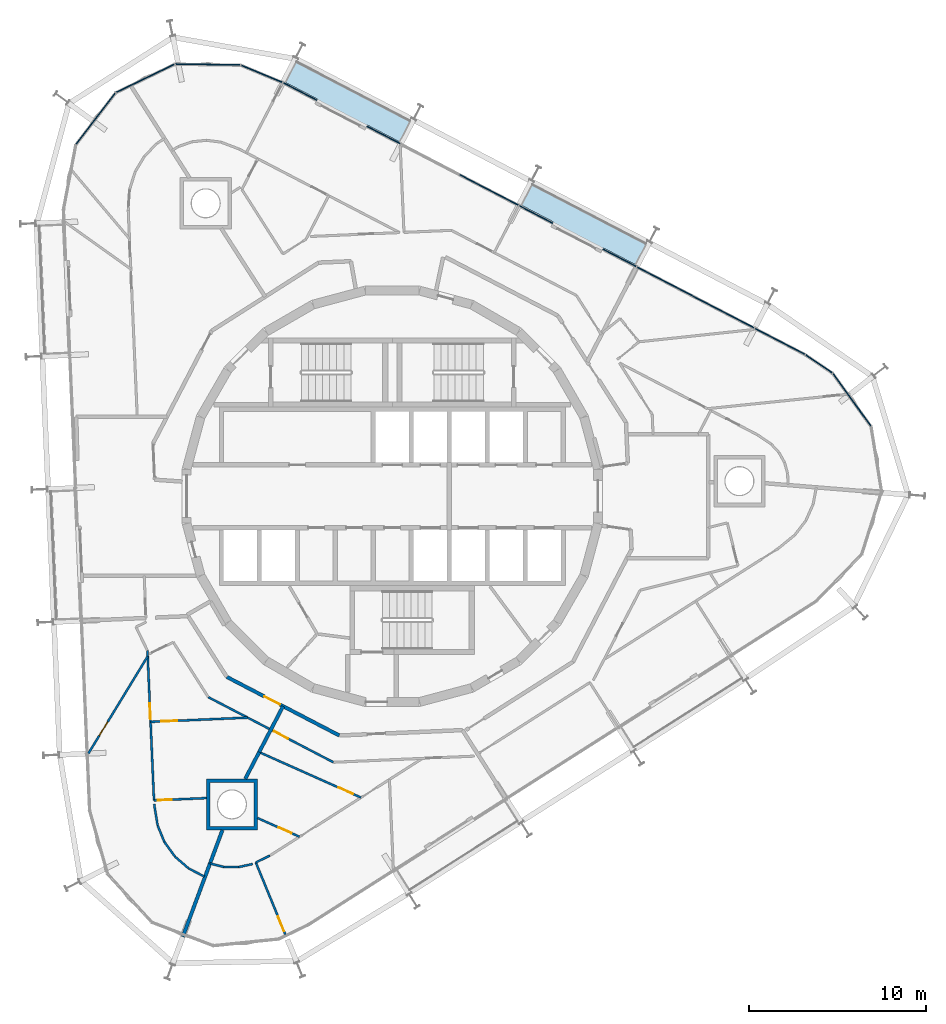
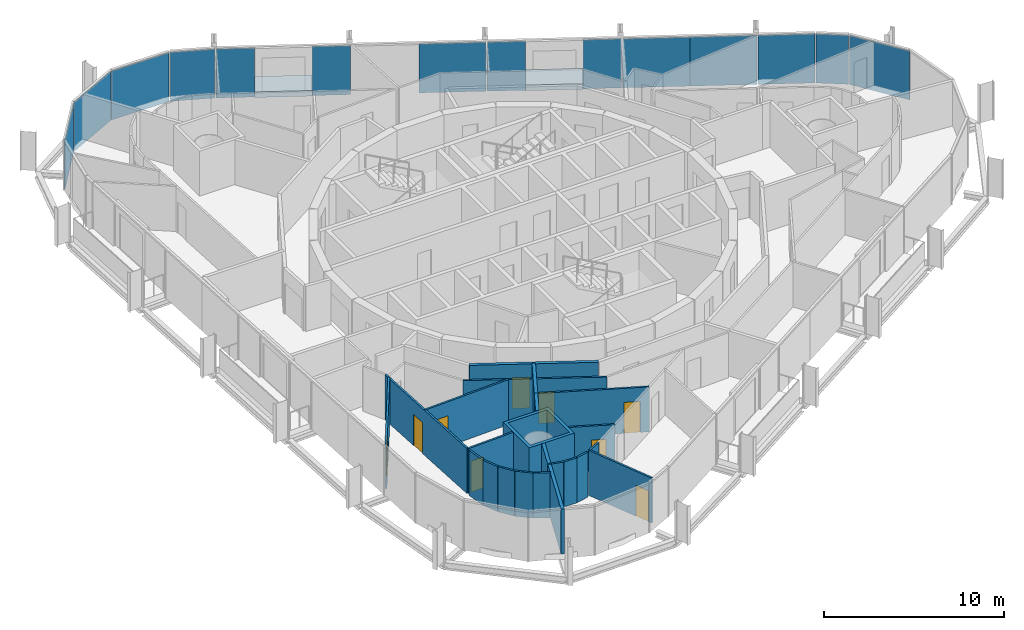
# One storey, part 11 of 18: 23 walls, 14 plates, 9 doors, 2 slabs, 9 openings, 3 elements without a shape of their own.
"""IFC4 building model written with IfcOpenShell, lengths in metres."""

from ifc_helpers import new_model, si_unit, direction, frame, frame_2d, origin, origin_2d, place, context, subcontext, project, spatial, polyline, rectangle, outline, extrude, material, layer, layer_set, type_object, element, fill, aggregate, save


model = new_model("IFC4")

# Units and contexts
model_context = context("Model", 3, precision=1e-05, world=origin(), true_north=direction((0.0, 1.0)))
body_context = subcontext(model_context, "Body", "Model", "MODEL_VIEW")
ifc_project = project(units=[si_unit("LENGTHUNIT", "METRE"), si_unit("AREAUNIT", "SQUARE_METRE"), si_unit("VOLUMEUNIT", "CUBIC_METRE"), si_unit("PLANEANGLEUNIT", "RADIAN"), si_unit("MASSUNIT", "GRAM", prefix="KILO")], contexts=[model_context])

# Site, building, storey
site_placement = place(None, origin())
site = spatial("IfcSite", under=ifc_project, at=site_placement, CompositionType="ELEMENT")
building_placement = place(site_placement, origin())
building = spatial("IfcBuilding", under=site, at=building_placement, Name="Spindle Arch Residences", CompositionType="ELEMENT")
storey_placement = place(building_placement, frame((0.0, 0.0, 254.699951171875)))
storey = spatial("IfcBuildingStorey", under=building, at=storey_placement, Name="L65", CompositionType="ELEMENT", Elevation=254.699951171875)

# Slabs
ifc_material_1 = material(Name="Concrete C40/50", Category="concrete")
ifc_layer_1 = layer(ifc_material_1, 0.3798828125)
ifc_layer_set_1 = layer_set([ifc_layer_1], Name="Balcony slab 380")
slab_type = type_object("IfcSlabType", Name="Balcony slab 380", PredefinedType="FLOOR", material=ifc_layer_set_1)
slab_1_placement = place(storey_placement, frame((0.0, 0.0, -0.3798828125)))
element("IfcSlab", 1, at=slab_1_placement, inside=storey, type_object=slab_type, Name="Balcony L65 bay 7", PredefinedType="FLOOR", context=body_context, shape_type="SweptSolid", body=[
    extrude(outline(polyline([(14.496337890625, 14.419921875), (14.429931640625, 14.45458984375), (14.360595703125, 14.321533203125), (7.947509765625, 17.659912109375), (8.0166015625, 17.79296875), (7.9501953125, 17.82763671875), (7.26220703125, 16.506103515625), (9.115966796875, 15.541015625), (9.042236328125, 15.399169921875), (11.880615234375, 13.92138671875), (11.95458984375, 14.0634765625), (13.808349609375, 13.098388671875), (14.496337890625, 14.419921875)])), origin(), (0.0, 0.0, 1.0), 0.3798828125),
])
slab_2_placement = place(storey_placement, frame((0.0, 0.0, -0.3798828125)))
element("IfcSlab", 2, at=slab_2_placement, inside=storey, type_object=slab_type, Name="Balcony L65 bay 9", PredefinedType="FLOOR", context=body_context, shape_type="SweptSolid", body=[
    extrude(outline(polyline([(1.137939453125, 21.3740234375), (1.0712890625, 21.40869140625), (1.002197265625, 21.275634765625), (-5.4111328125, 24.614013671875), (-5.341796875, 24.7470703125), (-5.408447265625, 24.78173828125), (-6.096435546875, 23.4599609375), (-4.242431640625, 22.494873046875), (-4.31640625, 22.35302734375), (-1.477783203125, 20.87548828125), (-1.404052734375, 21.017333984375), (0.449951171875, 20.05224609375), (1.137939453125, 21.3740234375)])), origin(), (0.0, 0.0, 1.0), 0.3798828125),
])

# Curtain wall, plates
ifc_material_2 = material(Name="Aluminium bronze unitised frame with tinted glass", Category="aluminium")
ifc_layer_2 = layer(ifc_material_2, 0.159912109375)
ifc_layer_set_2 = layer_set([ifc_layer_2], Name="CW-D corner wall on the fillet arcs")
curtain_wall_type_1 = type_object("IfcCurtainWallType", Name="CW-D corner wall on the fillet arcs", PredefinedType="NOTDEFINED", material=ifc_layer_set_2)
curtain_wall_1_placement = place(storey_placement, origin())
curtain_wall_1 = element("IfcCurtainWall", 3, at=curtain_wall_1_placement, inside=storey, type_object=curtain_wall_type_1, Name="CW-D L65 run 1", PredefinedType="NOTDEFINED")
ifc_material_3 = material(Name="Tinted double glazing over aluminium faced non-combustible spandrel zone (K0)", Category="aluminium")
ifc_layer_3 = layer(ifc_material_3, 0.06005859375)
ifc_layer_set_3 = layer_set([ifc_layer_3], Name="Unitised glass panel with E 60 spandrel zone")
plate_type = type_object("IfcPlateType", Name="Unitised glass panel with E 60 spandrel zone", PredefinedType="CURTAIN_PANEL", material=ifc_layer_set_3)
plate_1_placement = place(storey_placement, frame((26.024169921875, 5.460693359375, -0.3798828125), z_axis=(0.0, 0.0, 1.0), x_axis=(-0.585429431289, 0.810723368962, 0.0)))
plate_1 = element("IfcPlate", 4, at=plate_1_placement, type_object=plate_type, Name="CW-D unit 04", PredefinedType="CURTAIN_PANEL", context=body_context, shape_type="SweptSolid", body=[
    extrude(rectangle(XDim=3.666748046875, YDim=0.06005859375, at=origin_2d()), origin(), (0.0, 0.0, 1.0), 3.31005859375),
])
plate_2_placement = place(storey_placement, frame((24.156982421875, 7.498291015625, -0.3798828125), z_axis=(0.0, 0.0, 1.0), x_axis=(-0.827407441981, 0.561602105546, 0.0)))
plate_2 = element("IfcPlate", 5, at=plate_2_placement, type_object=plate_type, Name="CW-D unit 05", PredefinedType="CURTAIN_PANEL", context=body_context, shape_type="SweptSolid", body=[
    extrude(rectangle(XDim=1.816162109375, YDim=0.06005859375, at=origin_2d()), origin(), (0.0, 0.0, 1.0), 3.31005859375),
])
plate_3_placement = place(storey_placement, frame((21.948974609375, 8.770263671875, -0.3798828125), z_axis=(0.0, 0.0, 1.0), x_axis=(-0.887010833178, 0.461748613235, 0.0)))
plate_3 = element("IfcPlate", 6, at=plate_3_placement, type_object=plate_type, Name="CW-D unit 06", PredefinedType="CURTAIN_PANEL", context=body_context, shape_type="SweptSolid", body=[
    extrude(rectangle(XDim=3.16845703125, YDim=0.06005859375, at=origin_2d()), origin(), (0.0, 0.0, 1.0), 3.31005859375),
])
aggregate(curtain_wall_1, [plate_1, plate_2, plate_3])

ifc_material_4 = material(Name="Aluminium bronze unitised frame with tinted glass", Category="aluminium")
ifc_layer_4 = layer(ifc_material_4, 0.159912109375)
ifc_layer_set_4 = layer_set([ifc_layer_4], Name="CW-C typical residential unitised wall")
curtain_wall_type_2 = type_object("IfcCurtainWallType", Name="CW-C typical residential unitised wall", PredefinedType="NOTDEFINED", material=ifc_layer_set_4)
curtain_wall_2_placement = place(storey_placement, origin())
curtain_wall_2 = element("IfcCurtainWall", 7, at=curtain_wall_2_placement, inside=storey, type_object=curtain_wall_type_2, Name="CW-C L65 run 2", PredefinedType="NOTDEFINED")
plate_4_placement = place(storey_placement, frame((18.834228515625, 10.391845703125, -0.3798828125), z_axis=(0.0, 0.0, 1.0), x_axis=(-0.887010833178, 0.461748613235, 0.0)))
plate_4 = element("IfcPlate", 8, at=plate_4_placement, type_object=plate_type, Name="CW-C unit 05A", PredefinedType="CURTAIN_PANEL", context=body_context, shape_type="SweptSolid", body=[
    extrude(rectangle(XDim=3.735107421875, YDim=0.06005859375, at=origin_2d()), origin(), (0.0, 0.0, 1.0), 3.31005859375),
])
plate_5_placement = place(storey_placement, frame((15.52099609375, 12.116455078125, -0.3798828125), z_axis=(0.0, 0.0, 1.0), x_axis=(-0.887010833178, 0.461748613235, 0.0)))
plate_5 = element("IfcPlate", 9, at=plate_5_placement, type_object=plate_type, Name="CW-C unit 05B", PredefinedType="CURTAIN_PANEL", context=body_context, shape_type="SweptSolid", body=[
    extrude(rectangle(XDim=3.735107421875, YDim=0.06005859375, at=origin_2d()), origin(), (0.0, 0.0, 1.0), 3.31005859375),
])
plate_6_placement = place(storey_placement, frame((12.864501953125, 13.49951171875, -0.3798828125), z_axis=(0.0, 0.0, 1.0), x_axis=(-0.887010833178, 0.461748613235, 0.0)))
plate_6 = element("IfcPlate", 10, at=plate_6_placement, type_object=plate_type, Name="CW-C unit 06L", PredefinedType="CURTAIN_PANEL", context=body_context, shape_type="SweptSolid", body=[
    extrude(rectangle(XDim=2.135009765625, YDim=0.06005859375, at=origin_2d()), origin(), (0.0, 0.0, 1.0), 3.31005859375),
])
plate_7_placement = place(storey_placement, frame((8.13232421875, 15.962890625, -0.3798828125), z_axis=(0.0, 0.0, 1.0), x_axis=(-0.887010833178, 0.461748613235, 0.0)))
plate_7 = element("IfcPlate", 11, at=plate_7_placement, type_object=plate_type, Name="CW-C unit 06R", PredefinedType="CURTAIN_PANEL", context=body_context, shape_type="SweptSolid", body=[
    extrude(rectangle(XDim=2.135009765625, YDim=0.06005859375, at=origin_2d()), origin(), (0.0, 0.0, 1.0), 3.31005859375),
])
plate_8_placement = place(storey_placement, frame((5.4755859375, 17.345947265625, -0.3798828125), z_axis=(0.0, 0.0, 1.0), x_axis=(-0.887010833178, 0.461748613235, 0.0)))
plate_8 = element("IfcPlate", 12, at=plate_8_placement, type_object=plate_type, Name="CW-C unit 07A", PredefinedType="CURTAIN_PANEL", context=body_context, shape_type="SweptSolid", body=[
    extrude(rectangle(XDim=3.735107421875, YDim=0.06005859375, at=origin_2d()), origin(), (0.0, 0.0, 1.0), 3.31005859375),
])
plate_9_placement = place(storey_placement, frame((-0.494140625, 20.45361328125, -0.3798828125), z_axis=(0.0, 0.0, 1.0), x_axis=(-0.887010833178, 0.461748613235, 0.0)))
plate_9 = element("IfcPlate", 13, at=plate_9_placement, type_object=plate_type, Name="CW-C unit 08L", PredefinedType="CURTAIN_PANEL", context=body_context, shape_type="SweptSolid", body=[
    extrude(rectangle(XDim=2.135009765625, YDim=0.06005859375, at=origin_2d()), origin(), (0.0, 0.0, 1.0), 3.31005859375),
])
plate_10_placement = place(storey_placement, frame((-5.226318359375, 22.9169921875, -0.3798828125), z_axis=(0.0, 0.0, 1.0), x_axis=(-0.887010833178, 0.461748613235, 0.0)))
plate_10 = element("IfcPlate", 14, at=plate_10_placement, type_object=plate_type, Name="CW-C unit 08R", PredefinedType="CURTAIN_PANEL", context=body_context, shape_type="SweptSolid", body=[
    extrude(rectangle(XDim=2.135009765625, YDim=0.06005859375, at=origin_2d()), origin(), (0.0, 0.0, 1.0), 3.31005859375),
])
aggregate(curtain_wall_2, [plate_4, plate_5, plate_6, plate_7, plate_8, plate_9, plate_10])

curtain_wall_3_placement = place(storey_placement, origin())
curtain_wall_3 = element("IfcCurtainWall", 15, at=curtain_wall_3_placement, inside=storey, type_object=curtain_wall_type_1, Name="CW-D L65 run 3", PredefinedType="NOTDEFINED")
plate_11_placement = place(storey_placement, frame((-7.39501953125, 23.923095703125, -0.3798828125), z_axis=(0.0, 0.0, 1.0), x_axis=(-0.92268610302, 0.385552013734, 0.0)))
plate_11 = element("IfcPlate", 16, at=plate_11_placement, type_object=plate_type, Name="CW-D unit 00", PredefinedType="CURTAIN_PANEL", context=body_context, shape_type="SweptSolid", body=[
    extrude(rectangle(XDim=2.531005859375, YDim=0.06005859375, at=origin_2d()), origin(), (0.0, 0.0, 1.0), 3.31005859375),
])
plate_12_placement = place(storey_placement, frame((-10.45361328125, 24.44970703125, -0.3798828125), z_axis=(0.0, 0.0, 1.0), x_axis=(-0.999894231949, 0.014543896145, 0.0)))
plate_12 = element("IfcPlate", 17, at=plate_12_placement, type_object=plate_type, Name="CW-D unit 01", PredefinedType="CURTAIN_PANEL", context=body_context, shape_type="SweptSolid", body=[
    extrude(rectangle(XDim=3.666748046875, YDim=0.06005859375, at=origin_2d()), origin(), (0.0, 0.0, 1.0), 3.31005859375),
])
plate_13_placement = place(storey_placement, frame((-13.993896484375, 23.664794921875, -0.3798828125), z_axis=(0.0, 0.0, 1.0), x_axis=(-0.900065409075, -0.435754815677, 0.0)))
plate_13 = element("IfcPlate", 18, at=plate_13_placement, type_object=plate_type, Name="CW-D unit 02", PredefinedType="CURTAIN_PANEL", context=body_context, shape_type="SweptSolid", body=[
    extrude(rectangle(XDim=3.666748046875, YDim=0.06005859375, at=origin_2d()), origin(), (0.0, 0.0, 1.0), 3.31005859375),
])
plate_14_placement = place(storey_placement, frame((-16.805419921875, 21.37451171875, -0.3798828125), z_axis=(0.0, 0.0, 1.0), x_axis=(-0.60876142329, -0.793353344679, 0.0)))
plate_14 = element("IfcPlate", 19, at=plate_14_placement, type_object=plate_type, Name="CW-D unit 03", PredefinedType="CURTAIN_PANEL", context=body_context, shape_type="SweptSolid", body=[
    extrude(rectangle(XDim=3.666748046875, YDim=0.06005859375, at=origin_2d()), origin(), (0.0, 0.0, 1.0), 3.31005859375),
])
aggregate(curtain_wall_3, [plate_11, plate_12, plate_13, plate_14])

# Wall, opening, door
ifc_material_5 = material(Name="Calcium silicate block, plastered")
ifc_layer_5 = layer(ifc_material_5, 0.199951171875)
ifc_layer_set_5 = layer_set([ifc_layer_5], Name="Corridor wall 200")
wall_type_1 = type_object("IfcWallType", Name="Corridor wall 200", PredefinedType="STANDARD", material=ifc_layer_set_5)
wall_1_placement = place(storey_placement, frame((-9.372314453125, -10.22802734375, 0.0), z_axis=(0.0, 0.0, 1.0), x_axis=(0.887005184532, -0.461759464021, 0.0)))
wall_1 = element("IfcWall", 20, at=wall_1_placement, inside=storey, type_object=wall_type_1, Name="Corridor wall R6C0-W019", PredefinedType="STANDARD", context=body_context, shape_type="SweptSolid", body=[
    extrude(rectangle(XDim=7.18115234375, YDim=0.199951171875, at=frame_2d((3.590576171875, 0.0))), origin(), (0.0, 0.0, 1.0), 3.050048828125),
])
opening_1_placement = place(wall_1_placement, frame((2.390625, 0.0, 0.0)))
opening_1 = element("IfcOpeningElement", 21, at=opening_1_placement, cuts=wall_1, Name="Opening R6C0-FD04", PredefinedType="OPENING", context=body_context, shape_type="SweptSolid", body=[
    extrude(rectangle(XDim=1.0, YDim=2.10009765625, at=frame_2d((0.5, 1.050048828125))), frame((0.0, 0.10986328125, 0.0), z_axis=(0.0, -1.0, 0.0), x_axis=(1.0, 0.0, 0.0)), (0.0, 0.0, 1.0), 0.219970703125),
])
ifc_material_6 = material(Name="Timber, fire-resisting door set", Category="wood")
door_type_1 = type_object("IfcDoorType", Name="Flat entrance door 1000x2100", OperationType="NOTDEFINED", PredefinedType="DOOR", material=ifc_material_6)
door_1_placement = place(opening_1_placement, origin())
door_1 = element("IfcDoor", 22, at=door_1_placement, inside=storey, type_object=door_type_1, Name="Flat entrance door R6C0-FD04", OperationType="SINGLE_SWING_RIGHT", OverallHeight=2.10009765625, OverallWidth=1.0, PredefinedType="DOOR", context=body_context, shape_type="SweptSolid", body=[
    extrude(rectangle(XDim=1.0, YDim=2.10009765625, at=frame_2d((0.5, 1.050048828125))), frame((0.0, 0.02490234375, 0.0), z_axis=(0.0, -1.0, 0.0), x_axis=(1.0, 0.0, 0.0)), (0.0, 0.0, 1.0), 0.050048828125),
])
fill(opening_1, door_1)

ifc_material_7 = material(Name="Plasterboard on steel studs", Category="steel")
ifc_layer_6 = layer(ifc_material_7, 0.1201171875)
ifc_layer_set_6 = layer_set([ifc_layer_6], Name="Flat partition 120")
wall_type_2 = type_object("IfcWallType", Name="Flat partition 120", PredefinedType="PARTITIONING", material=ifc_layer_set_6)
wall_2_placement = place(storey_placement, frame((-10.42138671875, -11.373046875, 0.0), z_axis=(0.0, 0.0, 1.0), x_axis=(0.887012970857, -0.461744506769, 0.0)))
wall_2 = element("IfcWall", 23, at=wall_2_placement, inside=storey, type_object=wall_type_2, Name="Flat partition R6C0-W088", PredefinedType="PARTITIONING", context=body_context, shape_type="SweptSolid", body=[
    extrude(rectangle(XDim=7.98486328125, YDim=0.1201171875, at=frame_2d((3.992431640625, 0.0))), origin(), (0.0, 0.0, 1.0), 3.050048828125),
])
opening_2_placement = place(wall_2_placement, frame((4.1923828125, 0.0, 0.0)))
opening_2 = element("IfcOpeningElement", 24, at=opening_2_placement, cuts=wall_2, Name="Opening R6C0-ID19", PredefinedType="OPENING", context=body_context, shape_type="SweptSolid", body=[
    extrude(rectangle(XDim=0.89990234375, YDim=2.10009765625, at=frame_2d((0.449951171875, 1.050048828125))), frame((0.0, 0.070068359375, 0.0), z_axis=(0.0, -1.0, 0.0), x_axis=(1.0, 0.0, 0.0)), (0.0, 0.0, 1.0), 0.14013671875),
])
ifc_material_8 = material(Name="Timber door set", Category="wood")
door_type_2 = type_object("IfcDoorType", Name="Room door 900x2100", OperationType="NOTDEFINED", PredefinedType="DOOR", material=ifc_material_8)
door_2_placement = place(opening_2_placement, origin())
door_2 = element("IfcDoor", 25, at=door_2_placement, inside=storey, type_object=door_type_2, Name="Room door R6C0-ID19", OperationType="SINGLE_SWING_LEFT", OverallHeight=2.10009765625, OverallWidth=0.89990234375, PredefinedType="DOOR", context=body_context, shape_type="SweptSolid", body=[
    extrude(rectangle(XDim=0.89990234375, YDim=2.10009765625, at=frame_2d((0.449951171875, 1.050048828125))), frame((0.0, 0.02490234375, 0.0), z_axis=(0.0, -1.0, 0.0), x_axis=(1.0, 0.0, 0.0)), (0.0, 0.0, 1.0), 0.050048828125),
])
fill(opening_2, door_2)

wall_3_placement = place(storey_placement, frame((-13.49609375, -17.218017578125, 0.0), z_axis=(0.0, 0.0, 1.0), x_axis=(-0.043640714674, 0.999047290183, 0.0)))
wall_3 = element("IfcWall", 26, at=wall_3_placement, inside=storey, type_object=wall_type_2, Name="Flat partition R6C0-W089", PredefinedType="PARTITIONING", context=body_context, shape_type="SweptSolid", body=[
    extrude(rectangle(XDim=8.486572265625, YDim=0.1201171875, at=frame_2d((4.2431640625, 0.0))), origin(), (0.0, 0.0, 1.0), 3.050048828125),
])
opening_3_placement = place(wall_3_placement, frame((4.6083984375, 0.0, 0.0)))
opening_3 = element("IfcOpeningElement", 27, at=opening_3_placement, cuts=wall_3, Name="Opening R6C0-ID16", PredefinedType="OPENING", context=body_context, shape_type="SweptSolid", body=[
    extrude(rectangle(XDim=0.89990234375, YDim=2.10009765625, at=frame_2d((0.449951171875, 1.050048828125))), frame((0.0, 0.070068359375, 0.0), z_axis=(0.0, -1.0, 0.0), x_axis=(1.0, 0.0, 0.0)), (0.0, 0.0, 1.0), 0.14013671875),
])
door_3_placement = place(opening_3_placement, origin())
door_3 = element("IfcDoor", 28, at=door_3_placement, inside=storey, type_object=door_type_2, Name="Room door R6C0-ID16", OperationType="SINGLE_SWING_RIGHT", OverallHeight=2.10009765625, OverallWidth=0.89990234375, PredefinedType="DOOR", context=body_context, shape_type="SweptSolid", body=[
    extrude(rectangle(XDim=0.89990234375, YDim=2.10009765625, at=frame_2d((0.449951171875, 1.050048828125))), frame((0.0, 0.02490234375, 0.0), z_axis=(0.0, -1.0, 0.0), x_axis=(1.0, 0.0, 0.0)), (0.0, 0.0, 1.0), 0.050048828125),
])
fill(opening_3, door_3)

wall_4_placement = place(storey_placement, frame((-17.215087890625, -14.570068359375, 0.0), z_axis=(0.0, 0.0, 1.0), x_axis=(0.520949659667, 0.853587401555, 0.0)))
wall_4 = element("IfcWall", 29, at=wall_4_placement, inside=storey, type_object=wall_type_2, Name="Flat partition R6C0-W090", PredefinedType="PARTITIONING", context=body_context, shape_type="SweptSolid", body=[
    extrude(rectangle(XDim=6.455078125, YDim=0.1201171875, at=frame_2d((3.2275390625, 0.0))), origin(), (0.0, 0.0, 1.0), 3.050048828125),
])
opening_4_placement = place(wall_4_placement, frame((1.199951171875, 0.0, 0.0)))
opening_4 = element("IfcOpeningElement", 30, at=opening_4_placement, cuts=wall_4, Name="Opening R6C0-ID17", PredefinedType="OPENING", context=body_context, shape_type="SweptSolid", body=[
    extrude(rectangle(XDim=0.89990234375, YDim=2.10009765625, at=frame_2d((0.449951171875, 1.050048828125))), frame((0.0, 0.070068359375, 0.0), z_axis=(0.0, -1.0, 0.0), x_axis=(1.0, 0.0, 0.0)), (0.0, 0.0, 1.0), 0.14013671875),
])
door_4_placement = place(opening_4_placement, origin())
door_4 = element("IfcDoor", 31, at=door_4_placement, inside=storey, type_object=door_type_2, Name="Room door R6C0-ID17", OperationType="SINGLE_SWING_LEFT", OverallHeight=2.10009765625, OverallWidth=0.89990234375, PredefinedType="DOOR", context=body_context, shape_type="SweptSolid", body=[
    extrude(rectangle(XDim=0.89990234375, YDim=2.10009765625, at=frame_2d((0.449951171875, 1.050048828125))), frame((0.0, 0.02490234375, 0.0), z_axis=(0.0, -1.0, 0.0), x_axis=(1.0, 0.0, 0.0)), (0.0, 0.0, 1.0), 0.050048828125),
])
fill(opening_4, door_4)

wall_5_placement = place(storey_placement, frame((-13.690185546875, -12.773681640625, 0.0), z_axis=(0.0, 0.0, 1.0), x_axis=(0.999048778431, 0.043606631553, 0.0)))
wall_5 = element("IfcWall", 32, at=wall_5_placement, inside=storey, type_object=wall_type_2, Name="Flat partition R6C0-W091", PredefinedType="PARTITIONING", context=body_context, shape_type="SweptSolid", body=[
    extrude(rectangle(XDim=5.50341796875, YDim=0.1201171875, at=frame_2d((2.751708984375, 0.0))), origin(), (0.0, 0.0, 1.0), 3.050048828125),
])
opening_5_placement = place(wall_5_placement, frame((0.60009765625, 0.0, 0.0)))
opening_5 = element("IfcOpeningElement", 33, at=opening_5_placement, cuts=wall_5, Name="Opening R6C0-ID18", PredefinedType="OPENING", context=body_context, shape_type="SweptSolid", body=[
    extrude(rectangle(XDim=0.89990234375, YDim=2.10009765625, at=frame_2d((0.449951171875, 1.050048828125))), frame((0.0, 0.070068359375, 0.0), z_axis=(0.0, -1.0, 0.0), x_axis=(1.0, 0.0, 0.0)), (0.0, 0.0, 1.0), 0.14013671875),
])
door_5_placement = place(opening_5_placement, origin())
door_5 = element("IfcDoor", 34, at=door_5_placement, inside=storey, type_object=door_type_2, Name="Room door R6C0-ID18", OperationType="SINGLE_SWING_RIGHT", OverallHeight=2.10009765625, OverallWidth=0.89990234375, PredefinedType="DOOR", context=body_context, shape_type="SweptSolid", body=[
    extrude(rectangle(XDim=0.89990234375, YDim=2.10009765625, at=frame_2d((0.449951171875, 1.050048828125))), frame((0.0, 0.02490234375, 0.0), z_axis=(0.0, -1.0, 0.0), x_axis=(1.0, 0.0, 0.0)), (0.0, 0.0, 1.0), 0.050048828125),
])
fill(opening_5, door_5)

# Walls
for number, where, z_axis, x_axis, name in (
    (35, (-10.63818359375, -21.535888671875, 0.0), (0.0, 0.0, 1.0), (-0.886953051048, 0.461859594721, 0.0), "Flat partition R6C0-W092"),
    (36, (-11.539306640625, -21.066650390625, 0.0), (0.0, 0.0, 1.0), (-0.756552751789, 0.653932667604, 0.0), "Flat partition R6C0-W093"),
    (37, (-12.307861328125, -20.40234375, 0.0), (0.0, 0.0, 1.0), (-0.585481778516, 0.810685566065, 0.0), "Flat partition R6C0-W094"),
):
    element("IfcWall", number, at=place(storey_placement, frame(where, z_axis=z_axis, x_axis=x_axis)), inside=storey, type_object=wall_type_2, Name=name, PredefinedType="PARTITIONING", context=body_context, shape_type="SweptSolid", body=[
        extrude(rectangle(XDim=1.015869140625, YDim=0.1201171875, at=frame_2d((0.5078125, 0.0))), origin(), (0.0, 0.0, 1.0), 3.050048828125),
    ])
wall_6_placement = place(storey_placement, frame((-12.902587890625, -19.578857421875, 0.0), z_axis=(0.0, 0.0, 1.0), x_axis=(-0.382754975976, 0.923849894932, 0.0)))
element("IfcWall", 38, at=wall_6_placement, inside=storey, type_object=wall_type_2, Name="Flat partition R6C0-W095", PredefinedType="PARTITIONING", context=body_context, shape_type="SweptSolid", body=[
    extrude(rectangle(XDim=1.01611328125, YDim=0.1201171875, at=frame_2d((0.508056640625, 0.0))), origin(), (0.0, 0.0, 1.0), 3.050048828125),
])
wall_7_placement = place(storey_placement, frame((-13.29150390625, -18.64013671875, 0.0), z_axis=(0.0, 0.0, 1.0), x_axis=(-0.159363796836, 0.98721992497, 0.0)))
element("IfcWall", 39, at=wall_7_placement, inside=storey, type_object=wall_type_2, Name="Flat partition R6C0-W096", PredefinedType="PARTITIONING", context=body_context, shape_type="SweptSolid", body=[
    extrude(rectangle(XDim=1.22705078125, YDim=0.1201171875, at=frame_2d((0.613525390625, 0.0))), origin(), (0.0, 0.0, 1.0), 3.050048828125),
])

# Wall, opening, door
wall_8_placement = place(storey_placement, frame((-13.49609375, -17.218017578125, 0.0), z_axis=(0.0, 0.0, 1.0), x_axis=(0.999044946677, 0.043694330507, 0.0)))
wall_8 = element("IfcWall", 40, at=wall_8_placement, inside=storey, type_object=wall_type_2, Name="Flat partition R6C0-W097", PredefinedType="PARTITIONING", context=body_context, shape_type="SweptSolid", body=[
    extrude(rectangle(XDim=2.967041015625, YDim=0.1201171875, at=frame_2d((1.4833984375, 0.0))), origin(), (0.0, 0.0, 1.0), 3.050048828125),
])
opening_6_placement = place(wall_8_placement, frame((0.199951171875, 0.0, 0.0)))
opening_6 = element("IfcOpeningElement", 41, at=opening_6_placement, cuts=wall_8, Name="Opening R6C0-BD04", PredefinedType="OPENING", context=body_context, shape_type="SweptSolid", body=[
    extrude(rectangle(XDim=0.800048828125, YDim=2.10009765625, at=frame_2d((0.39990234375, 1.050048828125))), frame((0.0, 0.070068359375, 0.0), z_axis=(0.0, -1.0, 0.0), x_axis=(1.0, 0.0, 0.0)), (0.0, 0.0, 1.0), 0.14013671875),
])
ifc_material_9 = material(Name="Timber door set", Category="wood")
door_type_3 = type_object("IfcDoorType", Name="Bathroom door 800x2100", OperationType="NOTDEFINED", PredefinedType="DOOR", material=ifc_material_9)
door_6_placement = place(opening_6_placement, origin())
door_6 = element("IfcDoor", 42, at=door_6_placement, inside=storey, type_object=door_type_3, Name="Bathroom door R6C0-BD04", OperationType="SINGLE_SWING_RIGHT", OverallHeight=2.10009765625, OverallWidth=0.800048828125, PredefinedType="DOOR", context=body_context, shape_type="SweptSolid", body=[
    extrude(rectangle(XDim=0.800048828125, YDim=2.10009765625, at=frame_2d((0.39990234375, 1.050048828125))), frame((0.0, 0.02490234375, 0.0), z_axis=(0.0, -1.0, 0.0), x_axis=(1.0, 0.0, 0.0)), (0.0, 0.0, 1.0), 0.050048828125),
])
fill(opening_6, door_6)

# Walls
wall_9_placement = place(storey_placement, frame((-10.32421875, -20.789794921875, 0.0), z_axis=(0.0, 0.0, 1.0), x_axis=(0.969547579982, -0.244903021933, 0.0)))
element("IfcWall", 43, at=wall_9_placement, inside=storey, type_object=wall_type_2, Name="Flat partition R6C0-W099", PredefinedType="PARTITIONING", context=body_context, shape_type="SweptSolid", body=[
    extrude(rectangle(XDim=0.800537109375, YDim=0.1201171875, at=frame_2d((0.400390625, 0.0))), origin(), (0.0, 0.0, 1.0), 3.050048828125),
])
wall_10_placement = place(storey_placement, frame((-9.548095703125, -20.98583984375, 0.0), z_axis=(0.0, 0.0, 1.0), x_axis=(0.999895921986, -0.014427237979, 0.0)))
element("IfcWall", 44, at=wall_10_placement, inside=storey, type_object=wall_type_2, Name="Flat partition R6C0-W100", PredefinedType="PARTITIONING", context=body_context, shape_type="SweptSolid", body=[
    extrude(rectangle(XDim=0.8291015625, YDim=0.1201171875, at=frame_2d((0.41455078125, 0.0))), origin(), (0.0, 0.0, 1.0), 3.050048828125),
])
wall_11_placement = place(storey_placement, frame((-8.718994140625, -20.997802734375, 0.0), z_axis=(0.0, 0.0, 1.0), x_axis=(0.976339323235, 0.216244134959, 0.0)))
element("IfcWall", 45, at=wall_11_placement, inside=storey, type_object=wall_type_2, Name="Flat partition R6C0-W101", PredefinedType="PARTITIONING", context=body_context, shape_type="SweptSolid", body=[
    extrude(rectangle(XDim=0.82861328125, YDim=0.1201171875, at=frame_2d((0.414306640625, 0.0))), origin(), (0.0, 0.0, 1.0), 3.050048828125),
])

# Wall, opening, door
wall_12_placement = place(storey_placement, frame((-5.25634765625, -19.277587890625, 0.0), z_axis=(0.0, 0.0, 1.0), x_axis=(-0.913284429849, 0.407322415532, 0.0)))
wall_12 = element("IfcWall", 46, at=wall_12_placement, inside=storey, type_object=wall_type_2, Name="Flat partition R6C0-W102", PredefinedType="PARTITIONING", context=body_context, shape_type="SweptSolid", body=[
    extrude(rectangle(XDim=2.601318359375, YDim=0.1201171875, at=frame_2d((1.30078125, 0.0))), origin(), (0.0, 0.0, 1.0), 3.050048828125),
])
opening_7_placement = place(wall_12_placement, frame((0.5, 0.0, 0.0)))
opening_7 = element("IfcOpeningElement", 47, at=opening_7_placement, cuts=wall_12, Name="Opening R6C0-BD05", PredefinedType="OPENING", context=body_context, shape_type="SweptSolid", body=[
    extrude(rectangle(XDim=0.800048828125, YDim=2.10009765625, at=frame_2d((0.39990234375, 1.050048828125))), frame((0.0, 0.070068359375, 0.0), z_axis=(0.0, -1.0, 0.0), x_axis=(1.0, 0.0, 0.0)), (0.0, 0.0, 1.0), 0.14013671875),
])
door_7_placement = place(opening_7_placement, origin())
door_7 = element("IfcDoor", 48, at=door_7_placement, inside=storey, type_object=door_type_3, Name="Bathroom door R6C0-BD05", OperationType="SINGLE_SWING_LEFT", OverallHeight=2.10009765625, OverallWidth=0.800048828125, PredefinedType="DOOR", context=body_context, shape_type="SweptSolid", body=[
    extrude(rectangle(XDim=0.800048828125, YDim=2.10009765625, at=frame_2d((0.39990234375, 1.050048828125))), frame((0.0, 0.02490234375, 0.0), z_axis=(0.0, -1.0, 0.0), x_axis=(1.0, 0.0, 0.0)), (0.0, 0.0, 1.0), 0.050048828125),
])
fill(opening_7, door_7)

# Wall
wall_13_placement = place(storey_placement, frame((-7.73193359375, -20.732421875, 0.0), z_axis=(0.0, 0.0, 1.0), x_axis=(0.900065466697, 0.435754696659, 0.0)))
element("IfcWall", 49, at=wall_13_placement, inside=storey, type_object=wall_type_2, Name="Flat partition R6C0-W103", PredefinedType="PARTITIONING", context=body_context, shape_type="SweptSolid", body=[
    extrude(rectangle(XDim=0.88916015625, YDim=0.1201171875, at=frame_2d((0.444580078125, 0.0))), origin(), (0.0, 0.0, 1.0), 3.050048828125),
])

# Wall, opening, door
wall_14_placement = place(storey_placement, frame((-6.056640625, -24.809814453125, 0.0), z_axis=(0.0, 0.0, 1.0), x_axis=(-0.380044941584, 0.924968022354, 0.0)))
wall_14 = element("IfcWall", 50, at=wall_14_placement, inside=storey, type_object=wall_type_2, Name="Flat partition R6C0-W105", PredefinedType="PARTITIONING", context=body_context, shape_type="SweptSolid", body=[
    extrude(rectangle(XDim=4.408203125, YDim=0.1201171875, at=frame_2d((2.2041015625, 0.0))), origin(), (0.0, 0.0, 1.0), 3.050048828125),
])
opening_8_placement = place(wall_14_placement, frame((0.199951171875, 0.0, 0.0)))
opening_8 = element("IfcOpeningElement", 51, at=opening_8_placement, cuts=wall_14, Name="Opening R6C0-ID23", PredefinedType="OPENING", context=body_context, shape_type="SweptSolid", body=[
    extrude(rectangle(XDim=0.89990234375, YDim=2.10009765625, at=frame_2d((0.449951171875, 1.050048828125))), frame((0.0, 0.070068359375, 0.0), z_axis=(0.0, -1.0, 0.0), x_axis=(1.0, 0.0, 0.0)), (0.0, 0.0, 1.0), 0.14013671875),
])
door_8_placement = place(opening_8_placement, origin())
door_8 = element("IfcDoor", 52, at=door_8_placement, inside=storey, type_object=door_type_2, Name="Room door R6C0-ID23", OperationType="SINGLE_SWING_LEFT", OverallHeight=2.10009765625, OverallWidth=0.89990234375, PredefinedType="DOOR", context=body_context, shape_type="SweptSolid", body=[
    extrude(rectangle(XDim=0.89990234375, YDim=2.10009765625, at=frame_2d((0.449951171875, 1.050048828125))), frame((0.0, 0.02490234375, 0.0), z_axis=(0.0, -1.0, 0.0), x_axis=(1.0, 0.0, 0.0)), (0.0, 0.0, 1.0), 0.050048828125),
])
fill(opening_8, door_8)

wall_15_placement = place(storey_placement, frame((-1.773193359375, -17.05859375, 0.0), z_axis=(0.0, 0.0, 1.0), x_axis=(-0.913279926902, 0.407332511736, 0.0)))
wall_15 = element("IfcWall", 53, at=wall_15_placement, inside=storey, type_object=wall_type_2, Name="Flat partition R6C0-W106", PredefinedType="PARTITIONING", context=body_context, shape_type="SweptSolid", body=[
    extrude(rectangle(XDim=6.3154296875, YDim=0.1201171875, at=frame_2d((3.15771484375, 0.0))), origin(), (0.0, 0.0, 1.0), 3.050048828125),
])
opening_9_placement = place(wall_15_placement, frame((0.5, 0.0, 0.0)))
opening_9 = element("IfcOpeningElement", 54, at=opening_9_placement, cuts=wall_15, Name="Opening R6C0-ID21", PredefinedType="OPENING", context=body_context, shape_type="SweptSolid", body=[
    extrude(rectangle(XDim=0.89990234375, YDim=2.10009765625, at=frame_2d((0.449951171875, 1.050048828125))), frame((0.0, 0.070068359375, 0.0), z_axis=(0.0, -1.0, 0.0), x_axis=(1.0, 0.0, 0.0)), (0.0, 0.0, 1.0), 0.14013671875),
])
door_9_placement = place(opening_9_placement, origin())
door_9 = element("IfcDoor", 55, at=door_9_placement, inside=storey, type_object=door_type_2, Name="Room door R6C0-ID21", OperationType="SINGLE_SWING_LEFT", OverallHeight=2.10009765625, OverallWidth=0.89990234375, PredefinedType="DOOR", context=body_context, shape_type="SweptSolid", body=[
    extrude(rectangle(XDim=0.89990234375, YDim=2.10009765625, at=frame_2d((0.449951171875, 1.050048828125))), frame((0.0, 0.02490234375, 0.0), z_axis=(0.0, -1.0, 0.0), x_axis=(1.0, 0.0, 0.0)), (0.0, 0.0, 1.0), 0.050048828125),
])
fill(opening_9, door_9)

# Walls
ifc_material_10 = material(Name="Calcium silicate block, plastered")
ifc_layer_7 = layer(ifc_material_10, 0.199951171875)
ifc_layer_set_7 = layer_set([ifc_layer_7], Name="Flat party wall 200")
wall_type_3 = type_object("IfcWallType", Name="Flat party wall 200", PredefinedType="STANDARD", material=ifc_layer_set_7)
wall_16_placement = place(storey_placement, frame((-7.541015625, -14.486083984375, 0.0), z_axis=(0.0, 0.0, 1.0), x_axis=(0.461746051786, 0.88701216658, 0.0)))
element("IfcWall", 56, at=wall_16_placement, inside=storey, type_object=wall_type_3, Name="Flat party wall R6C0-W037", PredefinedType="STANDARD", context=body_context, shape_type="SweptSolid", body=[
    extrude(rectangle(XDim=2.931396484375, YDim=0.199951171875, at=frame_2d((1.4658203125, 0.0))), origin(), (0.0, 0.0, 1.0), 3.050048828125),
])
wall_17_placement = place(storey_placement, frame((-11.865478515625, -24.93896484375, 0.0), z_axis=(0.0, 0.0, 1.0), x_axis=(0.348214227297, 0.937414983829, 0.0)))
element("IfcWall", 57, at=wall_17_placement, inside=storey, type_object=wall_type_3, Name="Flat party wall R6C0-W038", PredefinedType="STANDARD", context=body_context, shape_type="SweptSolid", body=[
    extrude(rectangle(XDim=4.42626953125, YDim=0.199951171875, at=frame_2d((2.213134765625, 0.0))), origin(), (0.0, 0.0, 1.0), 3.050048828125),
])
wall_18_placement = place(storey_placement, frame((-8.3271484375, -15.996337890625, 0.0), z_axis=(0.0, 0.0, 1.0), x_axis=(0.461722915657, 0.887024210017, 0.0)))
element("IfcWall", 58, at=wall_18_placement, inside=storey, type_object=wall_type_3, Name="Flat party wall R6C0-W039", PredefinedType="STANDARD", context=body_context, shape_type="SweptSolid", body=[
    extrude(rectangle(XDim=1.70263671875, YDim=0.199951171875, at=frame_2d((0.851318359375, 0.0))), origin(), (0.0, 0.0, 1.0), 3.050048828125),
])
wall_19_placement = place(storey_placement, frame((-10.32421875, -20.789794921875, 0.0), z_axis=(0.0, 0.0, 1.0), x_axis=(0.348313973933, 0.937377925686, 0.0)))
element("IfcWall", 59, at=wall_19_placement, inside=storey, type_object=wall_type_3, Name="Flat party wall R6C0-W040", PredefinedType="STANDARD", context=body_context, shape_type="SweptSolid", body=[
    extrude(rectangle(XDim=2.02001953125, YDim=0.199951171875, at=frame_2d((1.010009765625, 0.0))), origin(), (0.0, 0.0, 1.0), 3.050048828125),
])
ifc_material_11 = material(Name="Calcium silicate block, plastered")
ifc_layer_8 = layer(ifc_material_11, 0.199951171875)
ifc_layer_set_8 = layer_set([ifc_layer_8], Name="Mega-column casing wall 200")
wall_type_4 = type_object("IfcWallType", Name="Mega-column casing wall 200", PredefinedType="STANDARD", material=ifc_layer_set_8)
wall_20_placement = place(storey_placement, origin())
element("IfcWall", 60, at=wall_20_placement, inside=storey, type_object=wall_type_4, Name="Mega-column casing wall R6C0-WC03", PredefinedType="STANDARD", context=body_context, shape_type="SweptSolid", body=[
    extrude(outline(polyline([(-7.632080078125, -15.996337890625), (-7.632080078125, -18.896240234375), (-10.531982421875, -18.896240234375), (-10.531982421875, -15.996337890625), (-7.632080078125, -15.996337890625)]), holes=[polyline([(-10.33203125, -18.6962890625), (-7.83203125, -18.6962890625), (-7.83203125, -16.1962890625), (-10.33203125, -16.1962890625), (-10.33203125, -18.6962890625)])]), origin(), (0.0, 0.0, 1.0), 3.050048828125),
])

save(model, "model.ifc")
